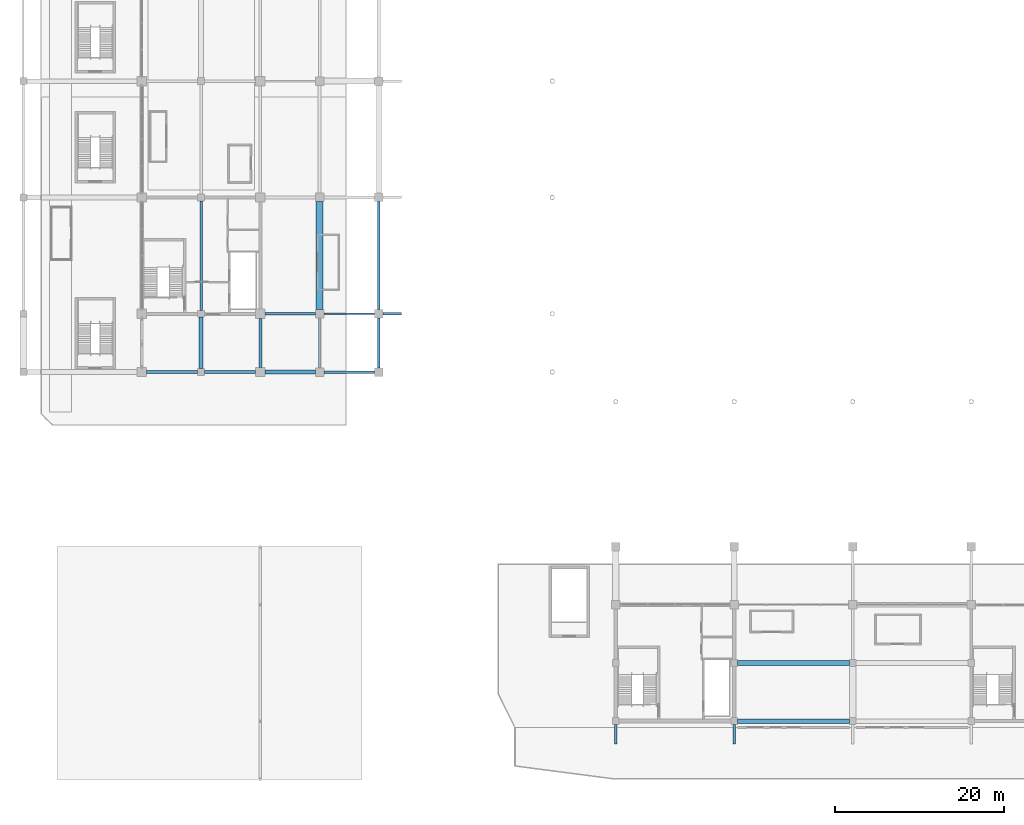
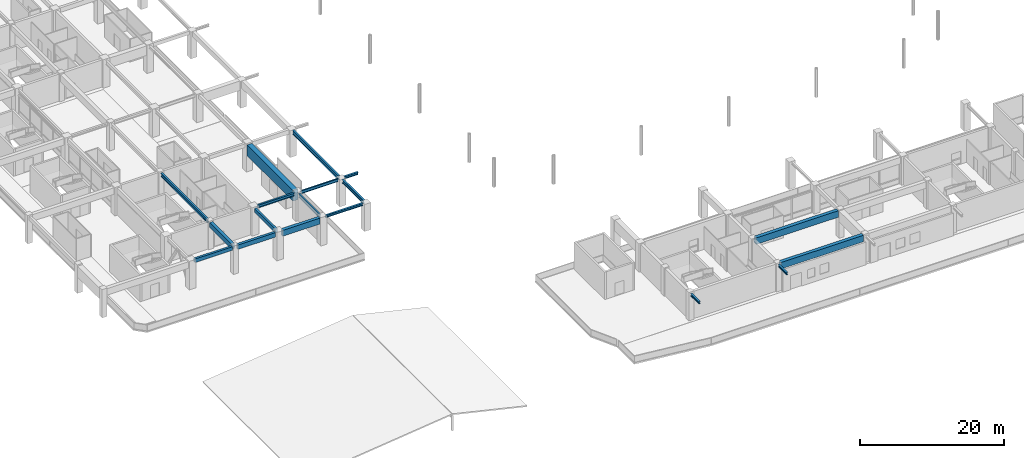
# One storey, part 21 of 91: 18 beams.
"""IFC4 building model written with IfcOpenShell, lengths in metres."""

from ifc_helpers import new_model, si_unit, direction, frame, origin, origin_2d, place, context, subcontext, project, spatial, rectangle, i_section, extrude, material, material_profile, profile_set, type_object, element, save


model = new_model("IFC4")

# Units and contexts
model_context = context("Model", 3, precision=1e-05, world=origin(), true_north=direction((0.0, 1.0)))
body_context = subcontext(model_context, "Body", "Model", "MODEL_VIEW")
ifc_project = project(units=[si_unit("LENGTHUNIT", "METRE"), si_unit("AREAUNIT", "SQUARE_METRE"), si_unit("VOLUMEUNIT", "CUBIC_METRE"), si_unit("PLANEANGLEUNIT", "RADIAN"), si_unit("MASSUNIT", "GRAM", prefix="KILO")], contexts=[model_context])

# Site, building, storey
site_placement = place(None, origin())
site = spatial("IfcSite", under=ifc_project, at=site_placement, CompositionType="ELEMENT")
building_placement = place(site_placement, origin())
building = spatial("IfcBuilding", under=site, at=building_placement, Name="Linyun Crest Stadium", CompositionType="ELEMENT")
storey_placement = place(building_placement, frame((0.0, 0.0, 11.39990234375)))
storey = spatial("IfcBuildingStorey", under=building, at=storey_placement, Name="L03", CompositionType="ELEMENT", Elevation=11.39990234375)

# Beams
ifc_material_1 = material(Name="Concrete C40", Category="concrete")
ifc_material_profile_1 = material_profile(ifc_material_1, rectangle(XDim=0.35009765625, YDim=0.60009765625, at=origin_2d()), Name="RCB 600x350")
ifc_profile_set_1 = profile_set([ifc_material_profile_1], Name="Concrete C40")
beam_type_1 = type_object("IfcBeamType", Name="B01", PredefinedType="BEAM", material=ifc_profile_set_1)
beam_1_placement = place(storey_placement, frame((-83.449951171875, -46.0, 4.280029296875), z_axis=(1.0, 0.0, 0.0), x_axis=(0.0, 1.0, 0.0)))
element("IfcBeam", 1, at=beam_1_placement, inside=storey, type_object=beam_type_1, Name="Frame beam B01 L03 228", PredefinedType="BEAM", context=body_context, shape_type="SweptSolid", body=[
    extrude(rectangle(XDim=0.35009765625, YDim=0.60009765625, at=origin_2d()), origin(), (0.0, 0.0, 1.0), 6.050048828125),
])
ifc_material_2 = material(Name="Concrete C40", Category="concrete")
ifc_material_profile_2 = material_profile(ifc_material_2, rectangle(XDim=0.35009765625, YDim=0.64990234375, at=origin_2d()), Name="RCB 650x350")
ifc_profile_set_2 = profile_set([ifc_material_profile_2], Name="Concrete C40")
beam_type_2 = type_object("IfcBeamType", Name="B02", PredefinedType="BEAM", material=ifc_profile_set_2)
beam_2_placement = place(storey_placement, frame((-70.0, -45.449951171875, 4.255126953125), z_axis=(0.0, 1.0, 0.0), x_axis=(-1.0, 0.0, 0.0)))
element("IfcBeam", 2, at=beam_2_placement, inside=storey, type_object=beam_type_2, Name="Frame beam B02 L03 281", PredefinedType="BEAM", context=body_context, shape_type="SweptSolid", body=[
    extrude(rectangle(XDim=0.35009765625, YDim=0.64990234375, at=origin_2d()), origin(), (0.0, 0.0, 1.0), 5.77490234375),
])
ifc_material_3 = material(Name="Concrete C40", Category="concrete")
ifc_material_profile_3 = material_profile(ifc_material_3, rectangle(XDim=0.39990234375, YDim=0.75, at=origin_2d()), Name="RCB 750x400")
ifc_profile_set_3 = profile_set([ifc_material_profile_3], Name="Concrete C40")
beam_type_3 = type_object("IfcBeamType", Name="B03", PredefinedType="BEAM", material=ifc_profile_set_3)
beam_3_placement = place(storey_placement, frame((-76.60009765625, -46.0, 4.205078125), z_axis=(1.0, 0.0, 0.0), x_axis=(0.0, 1.0, 0.0)))
element("IfcBeam", 3, at=beam_3_placement, inside=storey, type_object=beam_type_3, Name="Frame beam B03 L03 229", PredefinedType="BEAM", context=body_context, shape_type="SweptSolid", body=[
    extrude(rectangle(XDim=0.39990234375, YDim=0.75, at=origin_2d()), origin(), (0.0, 0.0, 1.0), 6.050048828125),
])
ifc_material_4 = material(Name="Concrete C40", Category="concrete")
ifc_material_profile_4 = material_profile(ifc_material_4, rectangle(XDim=0.449951171875, YDim=0.85009765625, at=origin_2d()), Name="RCB 850x450")
ifc_profile_set_4 = profile_set([ifc_material_profile_4], Name="Concrete C40")
beam_type_4 = type_object("IfcBeamType", Name="B04", PredefinedType="BEAM", material=ifc_profile_set_4)
beam_4_placement = place(storey_placement, frame((-77.0, -45.60009765625, 4.155029296875), z_axis=(0.0, 1.0, 0.0), x_axis=(-1.0, 0.0, 0.0)))
element("IfcBeam", 4, at=beam_4_placement, inside=storey, type_object=beam_type_4, Name="Frame beam B04 L03 274", PredefinedType="BEAM", context=body_context, shape_type="SweptSolid", body=[
    extrude(rectangle(XDim=0.449951171875, YDim=0.85009765625, at=origin_2d()), origin(), (0.0, 0.0, 1.0), 6.0751953125),
])
ifc_material_5 = material(Name="Concrete C40", Category="concrete")
ifc_material_profile_5 = material_profile(ifc_material_5, rectangle(XDim=0.5, YDim=1.0, at=origin_2d()), Name="RCB 1000x500")
ifc_profile_set_5 = profile_set([ifc_material_profile_5], Name="Concrete C40")
beam_type_5 = type_object("IfcBeamType", Name="B05", PredefinedType="BEAM", material=ifc_profile_set_5)
beam_5_placement = place(storey_placement, frame((-69.449951171875, -46.0, 4.080078125), z_axis=(1.0, 0.0, 0.0), x_axis=(0.0, 1.0, 0.0)))
element("IfcBeam", 5, at=beam_5_placement, inside=storey, type_object=beam_type_5, Name="Frame beam B05 L03 230", PredefinedType="BEAM", context=body_context, shape_type="SweptSolid", body=[
    extrude(rectangle(XDim=0.5, YDim=1.0, at=origin_2d()), origin(), (0.0, 0.0, 1.0), 5.949951171875),
])
ifc_material_6 = material(Name="Steel Q355C", Category="steel")
ifc_material_profile_6 = material_profile(ifc_material_6, i_section(OverallWidth=0.300048828125, OverallDepth=0.389892578125, WebThickness=0.010009765625, FlangeThickness=0.01611328125, at=origin_2d()), Name="HM 390x300")
ifc_profile_set_6 = profile_set([ifc_material_profile_6], Name="Steel Q355C")
beam_type_6 = type_object("IfcBeamType", Name="B06", PredefinedType="BEAM", material=ifc_profile_set_6)
beam_6_placement = place(storey_placement, frame((-62.5, -46.0, 4.385009765625), z_axis=(1.0, 0.0, 0.0), x_axis=(0.0, 1.0, 0.0)))
element("IfcBeam", 6, at=beam_6_placement, inside=storey, type_object=beam_type_6, Name="Frame beam B06 L03 231", PredefinedType="BEAM", context=body_context, shape_type="SweptSolid", body=[
    extrude(i_section(OverallWidth=0.300048828125, OverallDepth=0.389892578125, WebThickness=0.010009765625, FlangeThickness=0.01611328125, at=origin_2d()), origin(), (0.0, 0.0, 1.0), 6.0),
])
beam_7_placement = place(storey_placement, frame((-55.5, -39.125, 4.34521484375), z_axis=(1.0, 0.0, 0.0), x_axis=(0.0, 1.0, 0.0)))
element("IfcBeam", 7, at=beam_7_placement, inside=storey, type_object=beam_type_6, Name="Balcony bracket beam B06 L03 256", PredefinedType="BEAM", context=body_context, shape_type="SweptSolid", body=[
    extrude(i_section(OverallWidth=0.300048828125, OverallDepth=0.389892578125, WebThickness=0.010009765625, FlangeThickness=0.01611328125, at=origin_2d()), origin(), (0.0, 0.0, 1.0), 2.199951171875),
])
for number, where, z_axis, x_axis, name in (
    (8, (-28.0, -89.949951171875, 4.364990234375), (0.0, 1.0, 0.0), (-1.0, 0.0, 0.0), "Balcony bracket beam B06 L03 928"),
    (9, (-14.0, -89.949951171875, 4.364990234375), (0.0, 1.0, 0.0), (-1.0, 0.0, 0.0), "Balcony bracket beam B06 L03 929"),
):
    element("IfcBeam", number, at=place(storey_placement, frame(where, z_axis=z_axis, x_axis=x_axis)), inside=storey, type_object=beam_type_6, Name=name, PredefinedType="BEAM", context=body_context, shape_type="SweptSolid", body=[
        extrude(i_section(OverallWidth=0.300048828125, OverallDepth=0.389892578125, WebThickness=0.010009765625, FlangeThickness=0.01611328125, at=origin_2d()), origin(), (0.0, 0.0, 1.0), 2.300048828125),
    ])
ifc_material_7 = material(Name="Steel Q355C", Category="steel")
ifc_material_profile_7 = material_profile(ifc_material_7, i_section(OverallWidth=0.300048828125, OverallDepth=0.488037109375, WebThickness=0.010986328125, FlangeThickness=0.01806640625, at=origin_2d()), Name="HM 488x300")
ifc_profile_set_7 = profile_set([ifc_material_profile_7], Name="Steel Q355C")
beam_type_7 = type_object("IfcBeamType", Name="B08", PredefinedType="BEAM", material=ifc_profile_set_7)
beam_8_placement = place(storey_placement, frame((-69.449951171875, -39.125, 4.336181640625), z_axis=(1.0, 0.0, 0.0), x_axis=(0.0, 1.0, 0.0)))
element("IfcBeam", 10, at=beam_8_placement, inside=storey, type_object=beam_type_7, Name="Frame beam B08 L03 232", PredefinedType="BEAM", context=body_context, shape_type="SweptSolid", body=[
    extrude(i_section(OverallWidth=0.300048828125, OverallDepth=0.488037109375, WebThickness=0.010986328125, FlangeThickness=0.01806640625, at=origin_2d()), origin(), (0.0, 0.0, 1.0), 5.949951171875),
])
ifc_material_8 = material(Name="Steel Q355C", Category="steel")
ifc_material_profile_8 = material_profile(ifc_material_8, i_section(OverallWidth=0.300048828125, OverallDepth=0.587890625, WebThickness=0.011962890625, FlangeThickness=0.02001953125, at=origin_2d()), Name="HM 588x300")
ifc_profile_set_8 = profile_set([ifc_material_profile_8], Name="Steel Q355C")
beam_type_8 = type_object("IfcBeamType", Name="B09", PredefinedType="BEAM", material=ifc_profile_set_8)
beam_9_placement = place(storey_placement, frame((-77.0, -38.72509765625, 4.2861328125), z_axis=(0.0, 1.0, 0.0), x_axis=(-1.0, 0.0, 0.0)))
element("IfcBeam", 11, at=beam_9_placement, inside=storey, type_object=beam_type_8, Name="Frame beam B09 L03 275", PredefinedType="BEAM", context=body_context, shape_type="SweptSolid", body=[
    extrude(i_section(OverallWidth=0.300048828125, OverallDepth=0.587890625, WebThickness=0.011962890625, FlangeThickness=0.02001953125, at=origin_2d()), origin(), (0.0, 0.0, 1.0), 12.9501953125),
])
beam_10_placement = place(storey_placement, frame((-56.0, -45.5, 4.24609375), z_axis=(0.0, 1.0, 0.0), x_axis=(-1.0, 0.0, 0.0)))
element("IfcBeam", 12, at=beam_10_placement, inside=storey, type_object=beam_type_8, Name="Frame beam B09 L03 292", PredefinedType="BEAM", context=body_context, shape_type="SweptSolid", body=[
    extrude(i_section(OverallWidth=0.300048828125, OverallDepth=0.587890625, WebThickness=0.011962890625, FlangeThickness=0.02001953125, at=origin_2d()), origin(), (0.0, 0.0, 1.0), 5.875),
])
ifc_material_9 = material(Name="Steel Q355C", Category="steel")
ifc_material_profile_9 = material_profile(ifc_material_9, i_section(OverallWidth=0.199951171875, OverallDepth=0.5, WebThickness=0.010009765625, FlangeThickness=0.01611328125, at=origin_2d()), Name="HN 500x200")
ifc_profile_set_9 = profile_set([ifc_material_profile_9], Name="Steel Q355C")
beam_type_9 = type_object("IfcBeamType", Name="B10", PredefinedType="BEAM", material=ifc_profile_set_9)
beam_11_placement = place(storey_placement, frame((-62.5, -39.125, 4.2900390625), z_axis=(1.0, 0.0, 0.0), x_axis=(0.0, 1.0, 0.0)))
element("IfcBeam", 13, at=beam_11_placement, inside=storey, type_object=beam_type_9, Name="Frame beam B10 L03 233", PredefinedType="BEAM", context=body_context, shape_type="SweptSolid", body=[
    extrude(i_section(OverallWidth=0.199951171875, OverallDepth=0.5, WebThickness=0.010009765625, FlangeThickness=0.01611328125, at=origin_2d()), origin(), (0.0, 0.0, 1.0), 6.0),
])
ifc_material_10 = material(Name="Steel Q355C", Category="steel")
ifc_material_profile_10 = material_profile(ifc_material_10, i_section(OverallWidth=0.199951171875, OverallDepth=0.60009765625, WebThickness=0.010986328125, FlangeThickness=0.01708984375, at=origin_2d()), Name="HN 600x200")
ifc_profile_set_10 = profile_set([ifc_material_profile_10], Name="Steel Q355C")
beam_type_10 = type_object("IfcBeamType", Name="B11", PredefinedType="BEAM", material=ifc_profile_set_10)
beam_12_placement = place(storey_placement, frame((-63.0, -45.5, 4.280029296875), z_axis=(0.0, 1.0, 0.0), x_axis=(-1.0, 0.0, 0.0)))
element("IfcBeam", 14, at=beam_12_placement, inside=storey, type_object=beam_type_10, Name="Frame beam B11 L03 285", PredefinedType="BEAM", context=body_context, shape_type="SweptSolid", body=[
    extrude(i_section(OverallWidth=0.199951171875, OverallDepth=0.60009765625, WebThickness=0.010986328125, FlangeThickness=0.01708984375, at=origin_2d()), origin(), (0.0, 0.0, 1.0), 5.875),
])
ifc_material_11 = material(Name="Steel Q355C", Category="steel")
ifc_material_profile_11 = material_profile(ifc_material_11, i_section(OverallWidth=0.300048828125, OverallDepth=0.699951171875, WebThickness=0.012939453125, FlangeThickness=0.02392578125, at=origin_2d()), Name="HN 700x300")
ifc_profile_set_11 = profile_set([ifc_material_profile_11], Name="Steel Q355C")
beam_type_11 = type_object("IfcBeamType", Name="B12", PredefinedType="BEAM", material=ifc_profile_set_11)
beam_13_placement = place(storey_placement, frame((-56.0, -38.625, 4.190185546875), z_axis=(0.0, 1.0, 0.0), x_axis=(-1.0, 0.0, 0.0)))
element("IfcBeam", 15, at=beam_13_placement, inside=storey, type_object=beam_type_11, Name="Frame beam B12 L03 293", PredefinedType="BEAM", context=body_context, shape_type="SweptSolid", body=[
    extrude(i_section(OverallWidth=0.300048828125, OverallDepth=0.699951171875, WebThickness=0.012939453125, FlangeThickness=0.02392578125, at=origin_2d()), origin(), (0.0, 0.0, 1.0), 12.75),
])
ifc_material_12 = material(Name="Concrete C50", Category="concrete")
ifc_material_profile_12 = material_profile(ifc_material_12, rectangle(XDim=0.800048828125, YDim=1.800048828125, at=origin_2d()), Name="RCB 1800x800")
ifc_profile_set_12 = profile_set([ifc_material_profile_12], Name="Concrete C50")
beam_type_12 = type_object("IfcBeamType", Name="B14", PredefinedType="BEAM", material=ifc_profile_set_12)
beam_14_placement = place(storey_placement, frame((-63.0, -38.625, 3.68017578125), z_axis=(0.0, 1.0, 0.0), x_axis=(-1.0, 0.0, 0.0)))
element("IfcBeam", 16, at=beam_14_placement, inside=storey, type_object=beam_type_12, Name="Frame beam B14 L03 286", PredefinedType="BEAM", context=body_context, shape_type="SweptSolid", body=[
    extrude(rectangle(XDim=0.800048828125, YDim=1.800048828125, at=origin_2d()), origin(), (0.0, 0.0, 1.0), 12.75),
])
ifc_material_13 = material(Name="Concrete C50", Category="concrete")
ifc_material_profile_13 = material_profile(ifc_material_13, rectangle(XDim=0.550048828125, YDim=1.10009765625, at=origin_2d()), Name="RCB 1100x550")
ifc_profile_set_13 = profile_set([ifc_material_profile_13], Name="Concrete C50")
beam_type_13 = type_object("IfcBeamType", Name="TB01", PredefinedType="USERDEFINED", material=ifc_profile_set_13)
for number, where, z_axis, x_axis, name in (
    (17, (-13.60009765625, -87.25, 4.070068359375), (1.0, 0.0, 0.0), (0.0, 1.0, 0.0), "Frame beam TB01 L03 923"),
    (18, (-13.60009765625, -80.375, 4.070068359375), (1.0, 0.0, 0.0), (0.0, 1.0, 0.0), "Frame beam TB01 L03 925"),
):
    element("IfcBeam", number, at=place(storey_placement, frame(where, z_axis=z_axis, x_axis=x_axis)), inside=storey, type_object=beam_type_13, Name=name, ObjectType="GIRDER", PredefinedType="USERDEFINED", context=body_context, shape_type="SweptSolid", body=[
        extrude(rectangle(XDim=0.550048828125, YDim=1.10009765625, at=origin_2d()), origin(), (0.0, 0.0, 1.0), 13.2001953125),
    ])

save(model, "model.ifc")
